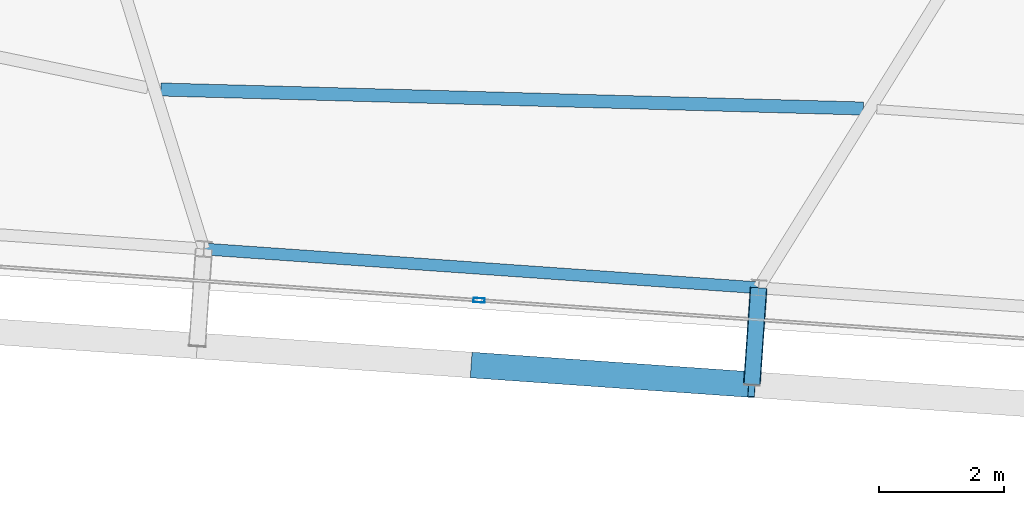
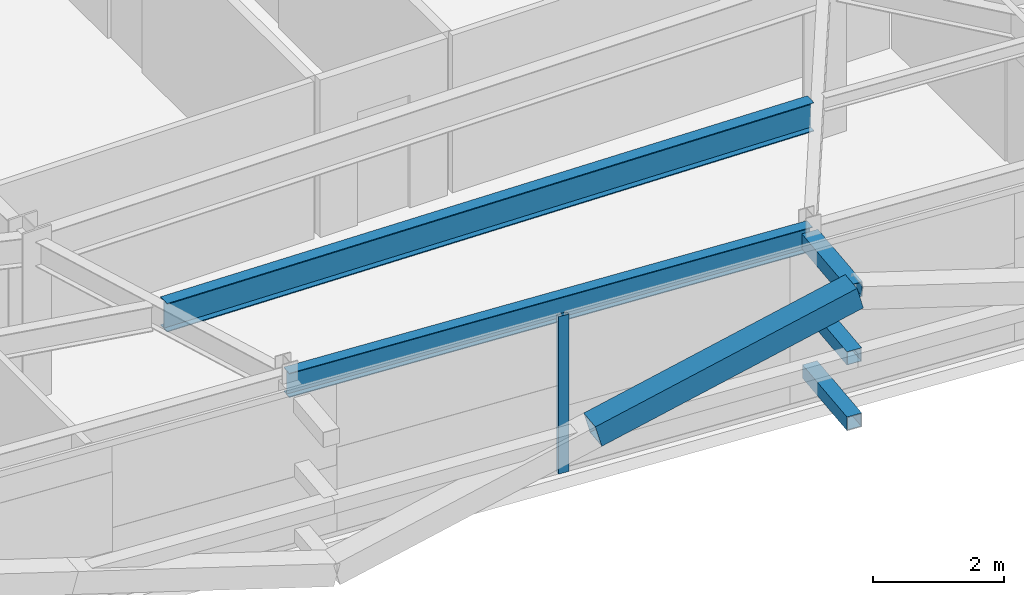
# One storey, part 9 of 39: 5 members, 2 beams, 1 element without a shape of its own.
"""IFC4 building model written with IfcOpenShell, lengths in metres."""

from ifc_helpers import new_model, si_unit, direction, frame, origin, origin_2d, place, context, subcontext, project, spatial, hollow_rectangle, i_section, extrude, source, transform, mapped, material, layer, layer_set, material_profile, profile_set, type_object, element, aggregate, save


model = new_model("IFC4")

# Units and contexts
model_context = context("Model", 3, precision=1e-05, world=origin(), true_north=direction((0.0, 1.0)))
body_context = subcontext(model_context, "Body", "Model", "MODEL_VIEW")
ifc_project = project(units=[si_unit("LENGTHUNIT", "METRE"), si_unit("AREAUNIT", "SQUARE_METRE"), si_unit("VOLUMEUNIT", "CUBIC_METRE"), si_unit("PLANEANGLEUNIT", "RADIAN"), si_unit("MASSUNIT", "GRAM", prefix="KILO")], contexts=[model_context])

# Site, building, storey
site_placement = place(None, origin())
site = spatial("IfcSite", under=ifc_project, at=site_placement, CompositionType="ELEMENT")
building_placement = place(site_placement, origin())
building = spatial("IfcBuilding", under=site, at=building_placement, Name="Taldren Reach Tower", CompositionType="ELEMENT")
storey_placement = place(building_placement, frame((0.0, 0.0, 126.699951171875)))
storey = spatial("IfcBuildingStorey", under=building, at=storey_placement, Name="L38", CompositionType="ELEMENT", Elevation=126.699951171875)

# Members
ifc_material_1 = material(Name="Steel Gr 450 (C450L0)", Category="steel")
ifc_material_profile_1 = material_profile(ifc_material_1, hollow_rectangle(XDim=0.27490234375, YDim=0.27490234375, WallThickness=0.00927734375, at=origin_2d()), Name="275x275x9.3SHS")
ifc_profile_set_1 = profile_set([ifc_material_profile_1], Name="Steel Gr 450 (C450L0)")
member_type_1 = type_object("IfcMemberType", Name="MB-TIE273", PredefinedType="STRUT", material=ifc_profile_set_1)
shared_shape_1 = source(origin(), body_context, "Body", "SweptSolid", [
    extrude(hollow_rectangle(XDim=0.27490234375, YDim=0.27490234375, WallThickness=0.00927734375, at=origin_2d()), origin(), (0.0, 0.0, 1.0), 1.550048828125),
])
member_1_placement = place(storey_placement, frame((38.438720703125, 3.480224609375, 2.650146484375), z_axis=(-0.06976957191, -0.99756313426, 0.0), x_axis=(0.99756313426, -0.06976957191, 0.0)))
element("IfcMember", 1, at=member_1_placement, inside=storey, type_object=member_type_1, Name="Exoskeleton diaphragm tie strut B3-S4 L38", PredefinedType="STRUT", context=body_context, shape_type="MappedRepresentation", body=[
    mapped(shared_shape_1, transform((0.0, 0.0, 0.0), scale=1.0)),
])
ifc_material_2 = material(Name="Steel Gr 350 (C350L0)", Category="steel")
ifc_material_profile_2 = material_profile(ifc_material_2, hollow_rectangle(XDim=0.25, YDim=0.25, WallThickness=0.010009765625, at=origin_2d()), Name="250x250x10.0SHS")
ifc_profile_set_2 = profile_set([ifc_material_profile_2], Name="Steel Gr 350 (C350L0)")
member_type_2 = type_object("IfcMemberType", Name="MB-POST250", PredefinedType="POST", material=ifc_profile_set_2)
shared_shape_2 = source(origin(), body_context, "Body", "SweptSolid", [
    extrude(hollow_rectangle(XDim=0.25, YDim=0.25, WallThickness=0.010009765625, at=origin_2d()), origin(), (0.0, 0.0, 1.0), 1.550048828125),
])
for number, where, z_axis, x_axis, name in (
    (2, (38.438720703125, 3.480224609375, 0.219970703125), (-0.06976957191, -0.99756313426, 0.0), (0.99756313426, -0.06976957191, 0.0), "Exoskeleton base diaphragm tie strut B3-S4 L38"),
    (3, (38.438720703125, 3.480224609375, 1.43505859375), (-0.06976957191, -0.99756313426, 0.0), (0.99756313426, -0.06976957191, 0.0), "Exoskeleton mid-tier diaphragm tie B3-S4 L38"),
):
    element("IfcMember", number, at=place(storey_placement, frame(where, z_axis=z_axis, x_axis=x_axis)), inside=storey, type_object=member_type_2, Name=name, PredefinedType="POST", context=body_context, shape_type="MappedRepresentation", body=[
        mapped(shared_shape_2, transform((0.0, 0.0, 0.0), scale=1.0)),
    ])

# Beams
ifc_material_3 = material(Name="Steel Gr 350 (350PLUS)", Category="steel")
ifc_material_profile_3 = material_profile(ifc_material_3, i_section(OverallWidth=0.18994140625, OverallDepth=0.4541015625, WebThickness=0.008544921875, FlangeThickness=0.0126953125, at=origin_2d()), Name="460UB67.1")
ifc_profile_set_3 = profile_set([ifc_material_profile_3], Name="Steel Gr 350 (350PLUS)")
beam_type_1 = type_object("IfcBeamType", Name="SP-UB460B", PredefinedType="SPANDREL", material=ifc_profile_set_3)
shared_shape_3 = source(origin(), body_context, "Body", "SweptSolid", [
    extrude(i_section(OverallWidth=0.18994140625, OverallDepth=0.4541015625, WebThickness=0.008544921875, FlangeThickness=0.0126953125, at=origin_2d()), origin(), (0.0, 0.0, 1.0), 8.880126953125),
])
beam_1_placement = place(storey_placement, frame((29.580322265625, 4.099609375, 2.703125), z_axis=(0.997564479639, -0.069750333063, 0.0), x_axis=(0.069750333063, 0.997564479639, 0.0)))
element("IfcBeam", 4, at=beam_1_placement, inside=storey, type_object=beam_type_1, Name="Perimeter spandrel B3 S3-S4 L38", PredefinedType="SPANDREL", context=body_context, shape_type="MappedRepresentation", body=[
    mapped(shared_shape_3, transform((0.0, 0.0, 0.0), scale=1.0)),
])
ifc_material_profile_4 = material_profile(ifc_material_3, i_section(OverallWidth=0.208984375, OverallDepth=0.532958984375, WebThickness=0.01025390625, FlangeThickness=0.015625, at=origin_2d()), Name="530UB92.4")
ifc_profile_set_4 = profile_set([ifc_material_profile_4], Name="Steel Gr 350 (350PLUS)")
beam_type_2 = type_object("IfcBeamType", Name="BM-UB530A", PredefinedType="BEAM", material=ifc_profile_set_4)
shared_shape_4 = source(origin(), body_context, "Body", "SweptSolid", [
    extrude(i_section(OverallWidth=0.208984375, OverallDepth=0.532958984375, WebThickness=0.01025390625, FlangeThickness=0.015625, at=origin_2d()), origin(), (0.0, 0.0, 1.0), 11.221923828125),
])
beam_2_placement = place(storey_placement, frame((28.890869140625, 6.64697265625, 2.66357421875), z_axis=(0.999633109536, -0.027085906272, 0.0), x_axis=(0.027085906272, 0.999633109536, 0.0)))
element("IfcBeam", 5, at=beam_2_placement, inside=storey, type_object=beam_type_2, Name="Secondary floor beam B3 J3 L38", PredefinedType="BEAM", context=body_context, shape_type="MappedRepresentation", body=[
    mapped(shared_shape_4, transform((0.0, 0.0, 0.0), scale=1.0)),
])

# Member
ifc_material_profile_5 = material_profile(ifc_material_1, hollow_rectangle(XDim=0.409912109375, YDim=0.409912109375, WallThickness=0.01611328125, at=origin_2d()), Name="410x410x16.0SHS")
ifc_profile_set_5 = profile_set([ifc_material_profile_5], Name="Steel Gr 450 (C450L0)")
member_type_3 = type_object("IfcMemberType", Name="MB-EXO406", PredefinedType="BRACE", material=ifc_profile_set_5)
shared_shape_5 = source(origin(), body_context, "Body", "SweptSolid", [
    extrude(hollow_rectangle(XDim=0.409912109375, YDim=0.409912109375, WallThickness=0.01611328125, at=origin_2d()), origin(), (0.0, 0.0, 1.0), 4.603271484375),
])
member_2_placement = place(storey_placement, frame((33.9013671875, 2.24365234375, 1.43505859375), z_axis=(0.962182351074, -0.067302910567, 0.263961060594), x_axis=(0.06977769246, 0.997562566276, 0.0)))
element("IfcMember", 6, at=member_2_placement, inside=storey, type_object=member_type_3, Name="Exoskeleton Diagrid Brace B3-S3 L38", PredefinedType="BRACE", context=body_context, shape_type="MappedRepresentation", body=[
    mapped(shared_shape_5, transform((0.0, 0.0, 0.0), scale=1.0)),
])

# Curtain wall, member
ifc_material_4 = material(Name="Aluminium and Low-E Glass Unitised System", Category="aluminium")
ifc_layer = layer(ifc_material_4, 0.159912109375)
ifc_layer_set = layer_set([ifc_layer], Name="Aluminium and Low-E Glass Unitised System")
curtain_wall_type = type_object("IfcCurtainWallType", Name="CW-SYS-4", PredefinedType="NOTDEFINED", material=ifc_layer_set)
curtain_wall_placement = place(storey_placement, origin())
curtain_wall = element("IfcCurtainWall", 7, at=curtain_wall_placement, inside=storey, type_object=curtain_wall_type, Name="Unitised curtain wall CW-L38-S", PredefinedType="NOTDEFINED")
ifc_material_5 = material(Name="Anodised Aluminium 6063-T6", Category="aluminium")
ifc_material_profile_6 = material_profile(ifc_material_5, hollow_rectangle(XDim=0.070068359375, YDim=0.179931640625, WallThickness=0.00390625, at=origin_2d()), Name="ALU-180x70x4RHS")
ifc_profile_set_6 = profile_set([ifc_material_profile_6], Name="Anodised Aluminium 6063-T6")
member_type_4 = type_object("IfcMemberType", Name="CW-MUL-180", PredefinedType="MULLION", material=ifc_profile_set_6)
shared_shape_6 = source(origin(), body_context, "Body", "SweptSolid", [
    extrude(hollow_rectangle(XDim=0.070068359375, YDim=0.179931640625, WallThickness=0.00390625, at=origin_2d()), origin(), (0.0, 0.0, 1.0), 2.929931640625),
])
member_3_placement = place(storey_placement, frame((33.973876953125, 3.281005859375, 0.0), z_axis=(0.0, 0.0, 1.0), x_axis=(0.06975651593, 0.99756404731, 0.0)))
member_3 = element("IfcMember", 8, at=member_3_placement, type_object=member_type_4, Name="CW-4 mullion 3", PredefinedType="MULLION", context=body_context, shape_type="MappedRepresentation", body=[
    mapped(shared_shape_6, transform((0.0, 0.0, 0.0), scale=1.0)),
])
aggregate(curtain_wall, [member_3])

save(model, "model.ifc")
